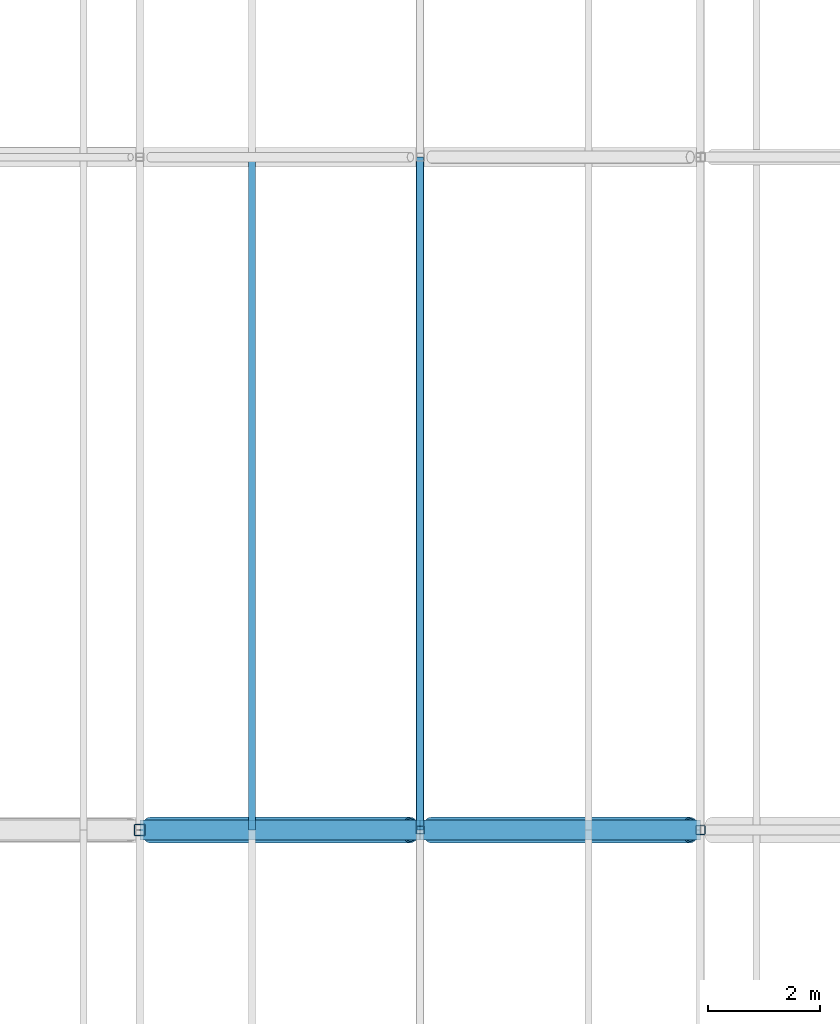
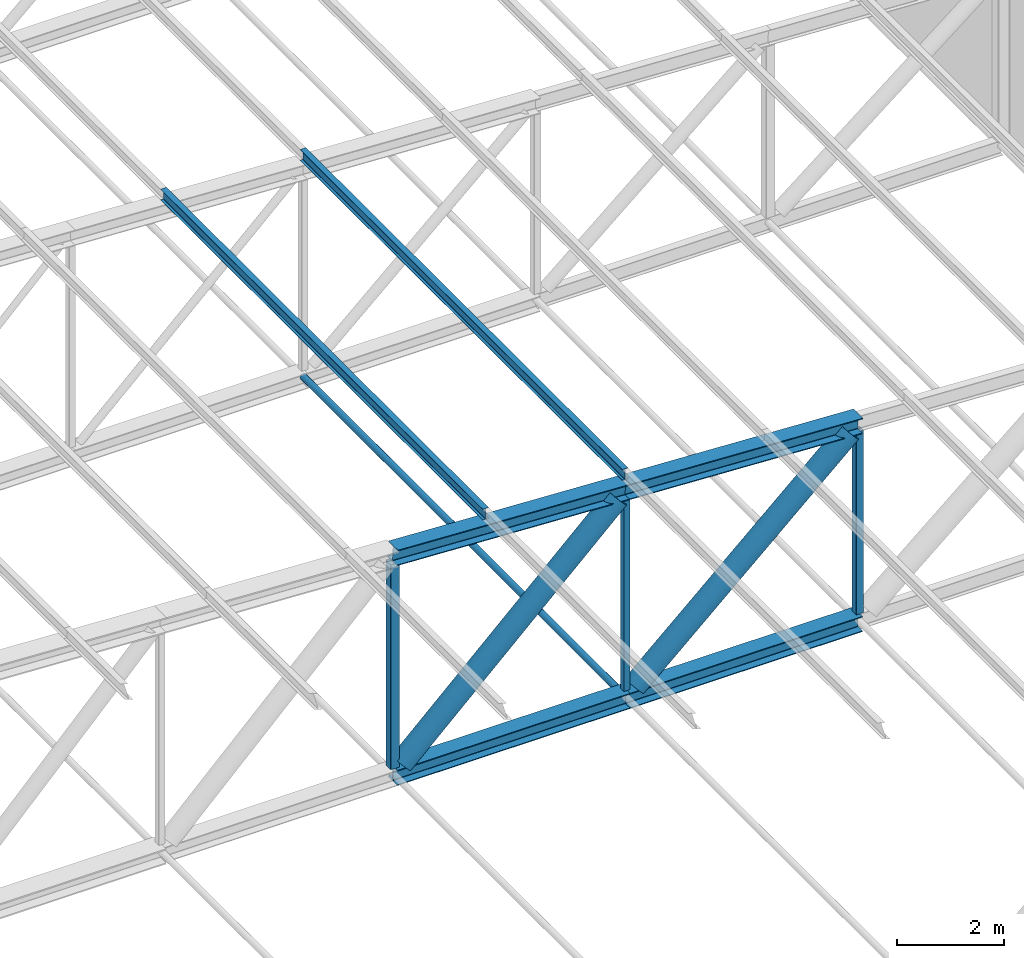
# One storey, part 86 of 156: 12 members.
"""IFC4 building model written with IfcOpenShell, lengths in metres."""

from ifc_helpers import new_model, si_unit, direction, frame, origin, origin_2d, place, context, subcontext, project, spatial, hollow_rectangle, hollow_circle, i_section, extrude, material, material_profile, profile_set, type_object, element, save


model = new_model("IFC4")

# Units and contexts
model_context = context("Model", 3, precision=1e-05, world=origin(), true_north=direction((0.0, 1.0)))
body_context = subcontext(model_context, "Body", "Model", "MODEL_VIEW")
ifc_project = project(units=[si_unit("LENGTHUNIT", "METRE"), si_unit("AREAUNIT", "SQUARE_METRE"), si_unit("VOLUMEUNIT", "CUBIC_METRE"), si_unit("PLANEANGLEUNIT", "RADIAN"), si_unit("MASSUNIT", "GRAM", prefix="KILO")], contexts=[model_context])

# Site, building, storey
site_placement = place(None, origin())
site = spatial("IfcSite", under=ifc_project, at=site_placement, CompositionType="ELEMENT")
building_placement = place(site_placement, origin())
building = spatial("IfcBuilding", under=site, at=building_placement, Name="Lilac Gate Convention Centre", CompositionType="ELEMENT")
storey_placement = place(building_placement, frame((0.0, 0.0, 17.0)))
storey = spatial("IfcBuildingStorey", under=building, at=storey_placement, Name="L03", CompositionType="ELEMENT", Elevation=17.0)

# Members
ifc_material = material(Name="Steel Q355B", Category="steel")
ifc_material_profile_1 = material_profile(ifc_material, hollow_circle(Radius=0.06982421875, WallThickness=0.0048828125, at=origin_2d()), Name="CHS139.7x5")
ifc_profile_set_1 = profile_set([ifc_material_profile_1], Name="Steel Q355B")
member_type_1 = type_object("IfcMemberType", Name="Bottom chord tie CHS139.7x5", PredefinedType="STRUT", material=ifc_profile_set_1)
member_1_placement = place(storey_placement, frame((75.0, 150.006103515625, 0.0), z_axis=(0.0, 1.0, 0.0), x_axis=(-1.0, 0.0, 0.0)))
element("IfcMember", 1, at=member_1_placement, inside=storey, type_object=member_type_1, Name="ST1 tie bay 11 node 10", PredefinedType="STRUT", context=body_context, shape_type="SweptSolid", body=[
    extrude(hollow_circle(Radius=0.06982421875, WallThickness=0.0048828125, at=origin_2d()), origin(), (0.0, 0.0, 1.0), 11.98779296875),
])
ifc_material_profile_2 = material_profile(ifc_material, i_section(OverallWidth=0.125, OverallDepth=0.25, WebThickness=0.006103515625, FlangeThickness=0.009033203125, FilletRadius=0.008056640625, at=origin_2d()), Name="HN250x125x6x9")
ifc_profile_set_2 = profile_set([ifc_material_profile_2], Name="Steel Q355B")
member_type_2 = type_object("IfcMemberType", Name="Roof purlin HN250x125x6x9", PredefinedType="PURLIN", material=ifc_profile_set_2)
for number, where, z_axis, x_axis, name in (
    (2, (72.0, 150.0, 5.2001953125), (0.0, 1.0, 0.0), (-1.0, 0.0, 0.0), "PU2 purlin bay 11 line 15"),
    (3, (75.0, 150.0, 5.05029296875), (0.0, 1.0, 0.0), (-1.0, 0.0, 0.0), "PU2 purlin bay 11 line 16"),
):
    element("IfcMember", number, at=place(storey_placement, frame(where, z_axis=z_axis, x_axis=x_axis)), inside=storey, type_object=member_type_2, Name=name, PredefinedType="PURLIN", context=body_context, shape_type="SweptSolid", body=[
        extrude(i_section(OverallWidth=0.125, OverallDepth=0.25, WebThickness=0.006103515625, FlangeThickness=0.009033203125, FilletRadius=0.008056640625, at=origin_2d()), origin(), (0.0, 0.0, 1.0), 12.0),
    ])
ifc_material_profile_3 = material_profile(ifc_material, i_section(OverallWidth=0.35009765625, OverallDepth=0.35009765625, WebThickness=0.011962890625, FlangeThickness=0.01904296875, FilletRadius=0.012939453125, at=origin_2d()), Name="HW350x350x12x19")
ifc_profile_set_3 = profile_set([ifc_material_profile_3], Name="Steel Q355B")
member_type_3 = type_object("IfcMemberType", Name="Truss bottom chord HW350x350x12x19", PredefinedType="CHORD", material=ifc_profile_set_3)
for number, where, z_axis, x_axis, name in (
    (4, (70.0, 150.0, 0.0), (1.0, 0.0, 0.0), (0.0, 1.0, 0.0), "TB2 truss 11 bottom chord 9"),
    (5, (75.0, 150.0, 0.0), (1.0, 0.0, 0.0), (0.0, 1.0, 0.0), "TB2 truss 11 bottom chord 10"),
):
    element("IfcMember", number, at=place(storey_placement, frame(where, z_axis=z_axis, x_axis=x_axis)), inside=storey, type_object=member_type_3, Name=name, PredefinedType="CHORD", context=body_context, shape_type="SweptSolid", body=[
        extrude(i_section(OverallWidth=0.35009765625, OverallDepth=0.35009765625, WebThickness=0.011962890625, FlangeThickness=0.01904296875, FilletRadius=0.012939453125, at=origin_2d()), origin(), (0.0, 0.0, 1.0), 5.0),
    ])
ifc_material_profile_4 = material_profile(ifc_material, hollow_circle(Radius=0.228515625, WallThickness=0.02490234375, at=origin_2d()), Name="CHS457x25")
ifc_profile_set_4 = profile_set([ifc_material_profile_4], Name="Steel Q355B")
member_type_4 = type_object("IfcMemberType", Name="Truss diagonal CHS457x25", PredefinedType="BRACE", material=ifc_profile_set_4)
member_2_placement = place(storey_placement, frame((74.8271484375, 150.0, 4.585693359375), z_axis=(-0.725020373275, 0.0, -0.688727419475), x_axis=(0.0, -1.0, 0.0)))
element("IfcMember", 6, at=member_2_placement, inside=storey, type_object=member_type_4, Name="TW8 truss 11 diagonal 9", PredefinedType="BRACE", context=body_context, shape_type="SweptSolid", body=[
    extrude(hollow_circle(Radius=0.228515625, WallThickness=0.02490234375, at=origin_2d()), origin(), (0.0, 0.0, 1.0), 6.404052734375),
])
member_3_placement = place(storey_placement, frame((79.8173828125, 150.0, 4.335693359375), z_axis=(-0.743301953498, 0.0, -0.668956056797), x_axis=(0.0, -1.0, 0.0)))
element("IfcMember", 7, at=member_3_placement, inside=storey, type_object=member_type_4, Name="TW8 truss 11 diagonal 10", PredefinedType="BRACE", context=body_context, shape_type="SweptSolid", body=[
    extrude(hollow_circle(Radius=0.228515625, WallThickness=0.02490234375, at=origin_2d()), origin(), (0.0, 0.0, 1.0), 6.2197265625),
])
ifc_material_profile_5 = material_profile(ifc_material, i_section(OverallWidth=0.35009765625, OverallDepth=0.35009765625, WebThickness=0.011962890625, FlangeThickness=0.01904296875, FilletRadius=0.012939453125, at=origin_2d()), Name="HW350x350x12x19")
ifc_profile_set_5 = profile_set([ifc_material_profile_5], Name="Steel Q355B")
member_type_5 = type_object("IfcMemberType", Name="Truss top chord HW350x350x12x19", PredefinedType="CHORD", material=ifc_profile_set_5)
for number, where, z_axis, x_axis, name in (
    (8, (70.0, 150.0, 5.0), (0.998752338878, 0.0, -0.049937616944), (0.0, 1.0, 0.0), "TT2 truss 11 top chord 9"),
    (9, (75.0, 150.0, 4.75), (0.998752338878, 0.0, -0.049937616944), (0.0, 1.0, 0.0), "TT2 truss 11 top chord 10"),
):
    element("IfcMember", number, at=place(storey_placement, frame(where, z_axis=z_axis, x_axis=x_axis)), inside=storey, type_object=member_type_5, Name=name, PredefinedType="CHORD", context=body_context, shape_type="SweptSolid", body=[
        extrude(i_section(OverallWidth=0.35009765625, OverallDepth=0.35009765625, WebThickness=0.011962890625, FlangeThickness=0.01904296875, FilletRadius=0.012939453125, at=origin_2d()), origin(), (0.0, 0.0, 1.0), 5.00634765625),
    ])
ifc_material_profile_6 = material_profile(ifc_material, hollow_rectangle(XDim=0.139892578125, YDim=0.139892578125, WallThickness=0.0048828125, InnerFilletRadius=0.0048828125, OuterFilletRadius=0.010009765625, at=origin_2d()), Name="SHS140x140x5")
ifc_profile_set_6 = profile_set([ifc_material_profile_6], Name="Steel Q355B")
member_type_6 = type_object("IfcMemberType", Name="Truss vertical SHS140x140x5", PredefinedType="STRUT", material=ifc_profile_set_6)
member_4_placement = place(storey_placement, frame((75.0, 150.0, 0.175048828125), z_axis=(0.0, 0.0, 1.0), x_axis=(1.0, 0.0, 0.0)))
element("IfcMember", 10, at=member_4_placement, inside=storey, type_object=member_type_6, Name="TV4 truss 11 vertical 10", PredefinedType="STRUT", context=body_context, shape_type="SweptSolid", body=[
    extrude(hollow_rectangle(XDim=0.139892578125, YDim=0.139892578125, WallThickness=0.0048828125, InnerFilletRadius=0.0048828125, OuterFilletRadius=0.010009765625, at=origin_2d()), origin(), (0.0, 0.0, 1.0), 4.399658203125),
])
ifc_material_profile_7 = material_profile(ifc_material, hollow_rectangle(XDim=0.159912109375, YDim=0.159912109375, WallThickness=0.006103515625, InnerFilletRadius=0.006103515625, OuterFilletRadius=0.011962890625, at=origin_2d()), Name="SHS160x160x6")
ifc_profile_set_7 = profile_set([ifc_material_profile_7], Name="Steel Q355B")
member_type_7 = type_object("IfcMemberType", Name="Truss vertical SHS160x160x6", PredefinedType="STRUT", material=ifc_profile_set_7)
member_5_placement = place(storey_placement, frame((80.0, 150.0, 0.175048828125), z_axis=(0.0, 0.0, 1.0), x_axis=(1.0, 0.0, 0.0)))
element("IfcMember", 11, at=member_5_placement, inside=storey, type_object=member_type_7, Name="TV3 truss 11 vertical 11", PredefinedType="STRUT", context=body_context, shape_type="SweptSolid", body=[
    extrude(hollow_rectangle(XDim=0.159912109375, YDim=0.159912109375, WallThickness=0.006103515625, InnerFilletRadius=0.006103515625, OuterFilletRadius=0.011962890625, at=origin_2d()), origin(), (0.0, 0.0, 1.0), 4.149658203125),
])
ifc_material_profile_8 = material_profile(ifc_material, hollow_rectangle(XDim=0.199951171875, YDim=0.199951171875, WallThickness=0.008056640625, InnerFilletRadius=0.011962890625, OuterFilletRadius=0.02001953125, at=origin_2d()), Name="SHS200x200x8")
ifc_profile_set_8 = profile_set([ifc_material_profile_8], Name="Steel Q355B")
member_type_8 = type_object("IfcMemberType", Name="Truss vertical SHS200x200x8", PredefinedType="STRUT", material=ifc_profile_set_8)
member_6_placement = place(storey_placement, frame((70.0, 150.0, 0.175048828125), z_axis=(0.0, 0.0, 1.0), x_axis=(1.0, 0.0, 0.0)))
element("IfcMember", 12, at=member_6_placement, inside=storey, type_object=member_type_8, Name="TV2 truss 11 vertical 9", PredefinedType="STRUT", context=body_context, shape_type="SweptSolid", body=[
    extrude(hollow_rectangle(XDim=0.199951171875, YDim=0.199951171875, WallThickness=0.008056640625, InnerFilletRadius=0.011962890625, OuterFilletRadius=0.02001953125, at=origin_2d()), origin(), (0.0, 0.0, 1.0), 4.649658203125),
])

save(model, "model.ifc")
